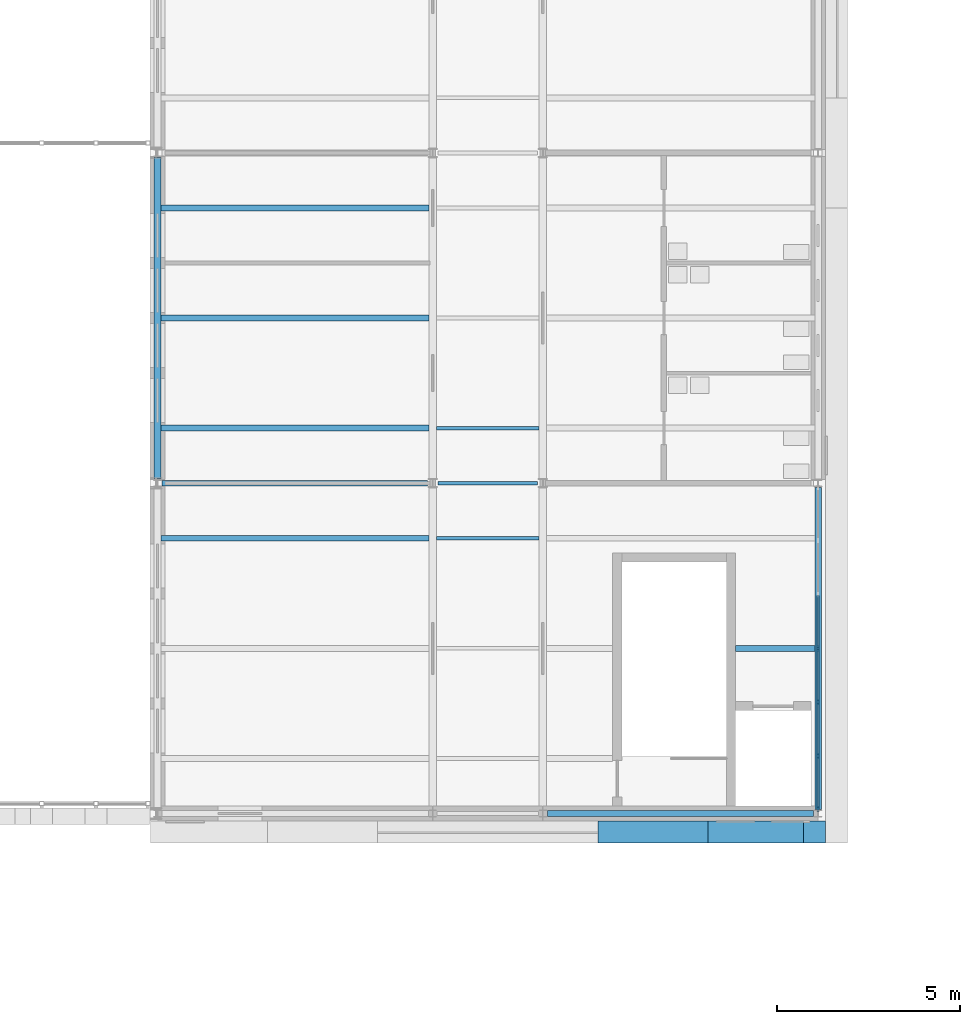
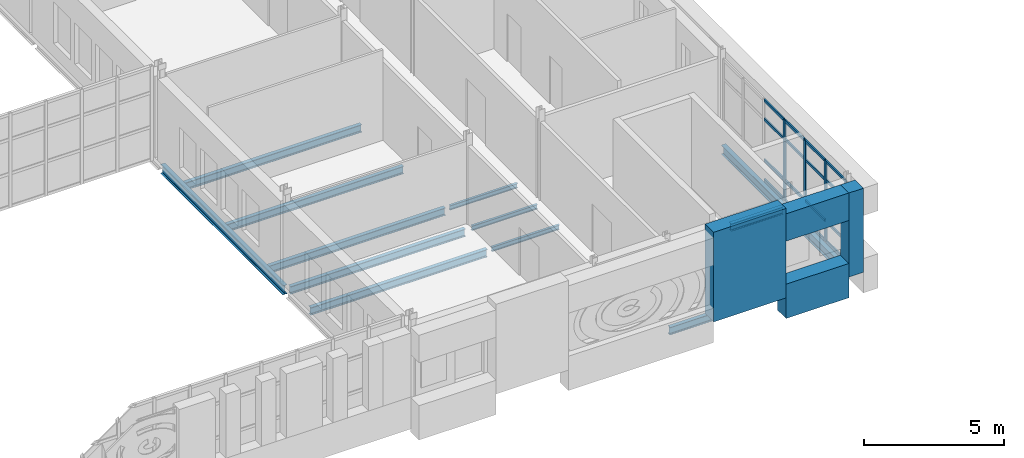
# One storey, part 27 of 154: 22 members, 14 beams, 1 element without a shape of its own.
"""IFC4 building model written with IfcOpenShell, lengths in metres."""

import ifcopenshell
import ifcopenshell.guid

model = None  # the IFC model being written
_history = None  # IfcOwnerHistory: only IFC2X3 demands one
_inside = {}  # id of a spatial element -> (the spatial element, [elements in it])
_under = {}  # id of a project, library or spatial element -> (it, [spatial elements below it])
_declared = {}  # id of a project -> (the project, [libraries it declares])
_typed = {}  # id of a type object -> (the type object, [elements of that type])
_made_of = {}  # id of a material, layer set ... -> (it, [elements and type objects made of it])


def new_model(schema):
    """Start an empty IFC model of exactly this schema.

    Asked for "IFC4X3", IfcOpenShell would pick the latest addendum, in which some entities
    have other attributes; the version numbers below select the first issue.
    IFC2X3 requires an IfcOwnerHistory on every rooted entity: one is made here for all.
    """
    global model, _history
    if schema == "IFC4X3":
        model = ifcopenshell.file(schema_version=(4, 3, 0, 0))
    else:
        model = ifcopenshell.file(schema=schema)
    _inside.clear()
    _under.clear()
    _declared.clear()
    _typed.clear()
    _made_of.clear()
    _history = None
    if model.schema == "IFC2X3":
        org = make("IfcOrganization", Name="unknown")
        user = make(
            "IfcPersonAndOrganization",
            ThePerson=make("IfcPerson", FamilyName="unknown"),
            TheOrganization=org,
        )
        app = make(
            "IfcApplication",
            ApplicationDeveloper=org,
            Version="unknown",
            ApplicationFullName="unknown",
            ApplicationIdentifier="unknown",
        )
        _history = make(
            "IfcOwnerHistory",
            OwningUser=user,
            OwningApplication=app,
            ChangeAction="ADDED",
            CreationDate=0,
        )
    return model


def make(cls, **values):
    """One entity of the class cls with the attributes given. An attribute that is None is left unset."""
    return model.create_entity(
        cls, **{name: value for name, value in values.items() if value is not None}
    )


def rooted(cls, **values):
    """An entity with a GlobalId (a new one), such as an element, a storey or a relation."""
    return make(cls, GlobalId=ifcopenshell.guid.new(), OwnerHistory=_history, **values)


def si_unit(unit_type, name, prefix=None):
    """IfcSIUnit, for example si_unit("LENGTHUNIT", "METRE", prefix="MILLI")."""
    return make("IfcSIUnit", UnitType=unit_type, Prefix=prefix, Name=name)


def assignment(units):
    """IfcUnitAssignment: the units of a project."""
    return None if units is None else make("IfcUnitAssignment", Units=units)


def point(xyz):
    """IfcCartesianPoint."""
    return None if xyz is None else make("IfcCartesianPoint", Coordinates=xyz)


def direction(xyz):
    """IfcDirection."""
    return None if xyz is None else make("IfcDirection", DirectionRatios=xyz)


def frame(location, z_axis=None, x_axis=None):
    """IfcAxis2Placement3D, a coordinate frame: its origin and axes. An axis left out is left unset."""
    return make(
        "IfcAxis2Placement3D",
        Location=point(location),
        Axis=direction(z_axis),
        RefDirection=direction(x_axis),
    )


def frame_2d(location, x_axis=None):
    """IfcAxis2Placement2D, a coordinate frame in the plane: its origin and x axis."""
    return make(
        "IfcAxis2Placement2D", Location=point(location), RefDirection=direction(x_axis)
    )


def origin():
    """The frame at (0, 0, 0) with its axes left unset."""
    return frame((0.0, 0.0, 0.0))


def origin_2d():
    """The frame at (0, 0) in the plane with its x axis left unset."""
    return frame_2d((0.0, 0.0))


def place(relative_to, where):
    """IfcLocalPlacement: puts the frame where relative to a parent placement (None: the world)."""
    return make(
        "IfcLocalPlacement", PlacementRelTo=relative_to, RelativePlacement=where
    )


def context(
    kind, dimensions, precision=None, world=None, true_north=None, identifier=None
):
    """IfcGeometricRepresentationContext, for example the 3D "Model" context."""
    return make(
        "IfcGeometricRepresentationContext",
        ContextIdentifier=identifier,
        ContextType=kind,
        CoordinateSpaceDimension=dimensions,
        Precision=precision,
        WorldCoordinateSystem=world,
        TrueNorth=true_north,
    )


def subcontext(parent, identifier, kind, view, scale=None):
    """IfcGeometricRepresentationSubContext, for example "Body" below "Model"."""
    return make(
        "IfcGeometricRepresentationSubContext",
        ContextIdentifier=identifier,
        ContextType=kind,
        ParentContext=parent,
        TargetScale=scale,
        TargetView=view,
    )


def project(units=None, contexts=None):
    """IfcProject with its units and contexts."""
    return rooted(
        "IfcProject",
        Name="project",
        RepresentationContexts=contexts,
        UnitsInContext=assignment(units),
    )


def spatial(cls, under=None, at=None, **own):
    """A site, building, storey or space (cls), placed at a placement, below another one or the project."""
    s = rooted(cls, ObjectPlacement=at, **own)
    if under is not None:
        _under.setdefault(under.id(), (under, []))[1].append(s)
    return s


def profile(cls, at=None, kind="AREA", **sizes):
    """A parametric profile (cls). Its sizes go by their IFC names, for example OverallWidth=200.0."""
    return make(cls, ProfileType=kind, Position=at, **sizes)


def rectangle(**sizes):
    """IfcRectangleProfileDef."""
    return profile("IfcRectangleProfileDef", **sizes)


def i_section(**sizes):
    """IfcIShapeProfileDef."""
    return profile("IfcIShapeProfileDef", **sizes)


def extrude(swept, where, along, depth):
    """IfcExtrudedAreaSolid: the profile swept, set in the frame where, extruded along a direction by depth."""
    return make(
        "IfcExtrudedAreaSolid",
        SweptArea=swept,
        Position=where,
        ExtrudedDirection=direction(along),
        Depth=depth,
    )


def shape(context_of_items, identifier, shape_type, items):
    """IfcShapeRepresentation: the items that make up one representation, for example the "Body"."""
    return make(
        "IfcShapeRepresentation",
        ContextOfItems=context_of_items,
        RepresentationIdentifier=identifier,
        RepresentationType=shape_type,
        Items=items,
    )


def material(Name=None, Category=None):
    """IfcMaterial."""
    return make("IfcMaterial", Name=Name, Category=Category)


def layer(
    of_material, thickness, ventilated=None, Name=None, Category=None, Priority=None
):
    """IfcMaterialLayer: one layer of a wall or slab, of a material (None: an air gap)."""
    return make(
        "IfcMaterialLayer",
        Material=of_material,
        LayerThickness=thickness,
        IsVentilated=ventilated,
        Name=Name,
        Category=Category,
        Priority=Priority,
    )


def layer_set(layers, Name=None):
    """IfcMaterialLayerSet."""
    return make("IfcMaterialLayerSet", MaterialLayers=layers, LayerSetName=Name)


def material_profile(
    of_material, cross_section, Name=None, Category=None, Priority=None
):
    """IfcMaterialProfile: a cross section and its material."""
    return make(
        "IfcMaterialProfile",
        Name=Name,
        Material=of_material,
        Profile=cross_section,
        Priority=Priority,
        Category=Category,
    )


def profile_set(profiles, Name=None, composite=None):
    """IfcMaterialProfileSet."""
    return make(
        "IfcMaterialProfileSet",
        Name=Name,
        MaterialProfiles=profiles,
        CompositeProfile=composite,
    )


def made_of(thing, what):
    """Note that an element or type object is made of a material, layer set ...; save() writes the relation."""
    if what is not None:
        _made_of.setdefault(what.id(), (what, []))[1].append(thing)
    return thing


def type_object(cls, material=None, **own):
    """A type object (cls), such as IfcWallType, which elements share."""
    return made_of(rooted(cls, **own), material)


def element(
    cls,
    number,
    at=None,
    inside=None,
    cuts=None,
    type_object=None,
    material=None,
    context=None,
    identifier="Body",
    shape_type=None,
    held_by="IfcProductDefinitionShape",
    body=None,
    shapes=None,
    **own,
):
    """One element of the class cls, such as IfcWall. Its Tag is "e" and its number.

    at: its placement. inside: the storey or other place that contains it. cuts: it is an
    opening in that element (IfcRelVoidsElement). A single representation is given by context,
    identifier, shape_type and body (its items); several are given by shapes. held_by: the class
    of the entity that holds the representations. save() writes the other relations.
    """
    e = rooted(cls, Tag="e%d" % number, ObjectPlacement=at, **own)
    if body is not None:
        shapes = [shape(context, identifier, shape_type, body)]
    if shapes is not None:
        e.Representation = make(held_by, Representations=shapes)
    if inside is not None:
        _inside.setdefault(inside.id(), (inside, []))[1].append(e)
    if cuts is not None:
        rooted(
            "IfcRelVoidsElement", RelatingBuildingElement=cuts, RelatedOpeningElement=e
        )
    if type_object is not None:
        _typed.setdefault(type_object.id(), (type_object, []))[1].append(e)
    return made_of(e, material)


def aggregate(whole, parts):
    """IfcRelAggregates: a whole, such as a stair, and the parts it consists of."""
    return rooted("IfcRelAggregates", RelatingObject=whole, RelatedObjects=parts)


def save(model, path):
    """Write the relations noted so far, then the file.

    IfcRelAggregates (storeys below a building ...), IfcRelContainedInSpatialStructure (elements
    in a storey), IfcRelDefinesByType, IfcRelAssociatesMaterial and IfcRelDeclares: one each for
    every whole, place, type object, material and project.
    """
    for whole, parts in _under.values():
        aggregate(whole, parts)
    for where, things in _inside.values():
        rooted(
            "IfcRelContainedInSpatialStructure",
            RelatedElements=things,
            RelatingStructure=where,
        )
    for kind, things in _typed.values():
        rooted("IfcRelDefinesByType", RelatedObjects=things, RelatingType=kind)
    for what, things in _made_of.values():
        rooted("IfcRelAssociatesMaterial", RelatedObjects=things, RelatingMaterial=what)
    for by, libraries in _declared.values():
        rooted("IfcRelDeclares", RelatingContext=by, RelatedDefinitions=libraries)
    model.write(path)


model = new_model("IFC4")

# Units and contexts
model_context = context("Model", 3, precision=1e-05, world=origin(), true_north=direction((0.0, 1.0)))
body_context = subcontext(model_context, "Body", "Model", "MODEL_VIEW")
ifc_project = project(units=[si_unit("LENGTHUNIT", "METRE"), si_unit("AREAUNIT", "SQUARE_METRE"), si_unit("VOLUMEUNIT", "CUBIC_METRE"), si_unit("PLANEANGLEUNIT", "RADIAN"), si_unit("MASSUNIT", "GRAM", prefix="KILO")], contexts=[model_context])

# Site, building, storey
site_placement = place(None, origin())
site = spatial("IfcSite", under=ifc_project, at=site_placement, CompositionType="ELEMENT")
building_placement = place(site_placement, origin())
building = spatial("IfcBuilding", under=site, at=building_placement, Name="Golden Quay Civic Hall", CompositionType="ELEMENT")
storey_placement = place(building_placement, frame((0.0, 0.0, 14.39990234375)))
storey = spatial("IfcBuildingStorey", under=building, at=storey_placement, Name="L03", CompositionType="ELEMENT", Elevation=14.39990234375)

# Curtain wall, members
ifc_material_1 = material(Name="Glass, laminated double glazed", Category="glass")
ifc_layer = layer(ifc_material_1, 0.199951171875)
ifc_layer_set = layer_set([ifc_layer], Name="Glazed core strip curtain wall")
curtain_wall_type = type_object("IfcCurtainWallType", Name="Glazed core strip curtain wall", PredefinedType="NOTDEFINED", material=ifc_layer_set)
curtain_wall_placement = place(storey_placement, origin())
curtain_wall = element("IfcCurtainWall", 1, at=curtain_wall_placement, inside=storey, type_object=curtain_wall_type, Name="Glazed core strip curtain wall L03 4", PredefinedType="NOTDEFINED")
ifc_material_2 = material(Name="Aluminium, anodised", Category="aluminium")
ifc_material_profile_1 = material_profile(ifc_material_2, rectangle(XDim=0.06005859375, YDim=0.159912109375, at=origin_2d()), Name="Aluminium 60 x 160")
ifc_profile_set_1 = profile_set([ifc_material_profile_1], Name="Aluminium, anodised")
member_type_1 = type_object("IfcMemberType", Name="Aluminium mullion 60 x 160", PredefinedType="MULLION", material=ifc_profile_set_1)
member_1_placement = place(storey_placement, frame((117.0, 4.5, 0.0), z_axis=(0.0, 0.0, 1.0), x_axis=(1.0, 0.0, 0.0)))
member_1 = element("IfcMember", 2, at=member_1_placement, type_object=member_type_1, Name="CW2 mullion 4", PredefinedType="MULLION", context=body_context, shape_type="SweptSolid", body=[
    extrude(rectangle(XDim=0.06005859375, YDim=0.159912109375, at=origin_2d()), origin(), (0.0, 0.0, 1.0), 3.550048828125),
])
member_2_placement = place(storey_placement, frame((117.0, 3.03173828125, 0.0), z_axis=(0.0, 0.0, 1.0), x_axis=(1.0, 0.0, 0.0)))
member_2 = element("IfcMember", 3, at=member_2_placement, type_object=member_type_1, Name="CW2 mullion 5", PredefinedType="MULLION", context=body_context, shape_type="SweptSolid", body=[
    extrude(rectangle(XDim=0.06005859375, YDim=0.159912109375, at=origin_2d()), origin(), (0.0, 0.0, 1.0), 3.550048828125),
])
member_3_placement = place(storey_placement, frame((117.0, 1.563232421875, 0.0), z_axis=(0.0, 0.0, 1.0), x_axis=(1.0, 0.0, 0.0)))
member_3 = element("IfcMember", 4, at=member_3_placement, type_object=member_type_1, Name="CW2 mullion 6", PredefinedType="MULLION", context=body_context, shape_type="SweptSolid", body=[
    extrude(rectangle(XDim=0.06005859375, YDim=0.159912109375, at=origin_2d()), origin(), (0.0, 0.0, 1.0), 3.550048828125),
])
member_4_placement = place(storey_placement, frame((117.0, 0.125, 0.0), z_axis=(0.0, 0.0, 1.0), x_axis=(1.0, 0.0, 0.0)))
member_4 = element("IfcMember", 5, at=member_4_placement, type_object=member_type_1, Name="CW2 mullion 7", PredefinedType="MULLION", context=body_context, shape_type="SweptSolid", body=[
    extrude(rectangle(XDim=0.06005859375, YDim=0.159912109375, at=origin_2d()), origin(), (0.0, 0.0, 1.0), 3.550048828125),
])
ifc_material_3 = material(Name="Aluminium, anodised", Category="aluminium")
ifc_material_profile_2 = material_profile(ifc_material_3, rectangle(XDim=0.06005859375, YDim=0.1201171875, at=origin_2d()), Name="Aluminium 60 x 120")
ifc_profile_set_2 = profile_set([ifc_material_profile_2], Name="Aluminium, anodised")
member_type_2 = type_object("IfcMemberType", Name="Aluminium transom 60 x 120", PredefinedType="USERDEFINED", material=ifc_profile_set_2)
member_5_placement = place(storey_placement, frame((117.0, 5.938232421875, 0.030029296875), z_axis=(0.0, -1.0, 0.0), x_axis=(1.0, 0.0, 0.0)))
member_5 = element("IfcMember", 6, at=member_5_placement, type_object=member_type_2, Name="CW2 transom 3.1", ObjectType="TRANSOM", PredefinedType="USERDEFINED", context=body_context, shape_type="SweptSolid", body=[
    extrude(rectangle(XDim=0.06005859375, YDim=0.1201171875, at=origin_2d()), origin(), (0.0, 0.0, 1.0), 1.408203125),
])
member_6_placement = place(storey_placement, frame((117.0, 5.938232421875, 0.900146484375), z_axis=(0.0, -1.0, 0.0), x_axis=(1.0, 0.0, 0.0)))
member_6 = element("IfcMember", 7, at=member_6_placement, type_object=member_type_2, Name="CW2 transom 3.2", ObjectType="TRANSOM", PredefinedType="USERDEFINED", context=body_context, shape_type="SweptSolid", body=[
    extrude(rectangle(XDim=0.06005859375, YDim=0.1201171875, at=origin_2d()), origin(), (0.0, 0.0, 1.0), 1.408203125),
])
member_7_placement = place(storey_placement, frame((117.0, 5.938232421875, 2.7001953125), z_axis=(0.0, -1.0, 0.0), x_axis=(1.0, 0.0, 0.0)))
member_7 = element("IfcMember", 8, at=member_7_placement, type_object=member_type_2, Name="CW2 transom 3.3", ObjectType="TRANSOM", PredefinedType="USERDEFINED", context=body_context, shape_type="SweptSolid", body=[
    extrude(rectangle(XDim=0.06005859375, YDim=0.1201171875, at=origin_2d()), origin(), (0.0, 0.0, 1.0), 1.408203125),
])
member_8_placement = place(storey_placement, frame((117.0, 5.938232421875, 3.52001953125), z_axis=(0.0, -1.0, 0.0), x_axis=(1.0, 0.0, 0.0)))
member_8 = element("IfcMember", 9, at=member_8_placement, type_object=member_type_2, Name="CW2 transom 3.4", ObjectType="TRANSOM", PredefinedType="USERDEFINED", context=body_context, shape_type="SweptSolid", body=[
    extrude(rectangle(XDim=0.06005859375, YDim=0.1201171875, at=origin_2d()), origin(), (0.0, 0.0, 1.0), 1.408203125),
])
member_9_placement = place(storey_placement, frame((117.0, 4.469970703125, 0.030029296875), z_axis=(0.0, -1.0, 0.0), x_axis=(1.0, 0.0, 0.0)))
member_9 = element("IfcMember", 10, at=member_9_placement, type_object=member_type_2, Name="CW2 transom 4.1", ObjectType="TRANSOM", PredefinedType="USERDEFINED", context=body_context, shape_type="SweptSolid", body=[
    extrude(rectangle(XDim=0.06005859375, YDim=0.1201171875, at=origin_2d()), origin(), (0.0, 0.0, 1.0), 1.408203125),
])
member_10_placement = place(storey_placement, frame((117.0, 4.469970703125, 0.900146484375), z_axis=(0.0, -1.0, 0.0), x_axis=(1.0, 0.0, 0.0)))
member_10 = element("IfcMember", 11, at=member_10_placement, type_object=member_type_2, Name="CW2 transom 4.2", ObjectType="TRANSOM", PredefinedType="USERDEFINED", context=body_context, shape_type="SweptSolid", body=[
    extrude(rectangle(XDim=0.06005859375, YDim=0.1201171875, at=origin_2d()), origin(), (0.0, 0.0, 1.0), 1.408203125),
])
member_11_placement = place(storey_placement, frame((117.0, 4.469970703125, 2.7001953125), z_axis=(0.0, -1.0, 0.0), x_axis=(1.0, 0.0, 0.0)))
member_11 = element("IfcMember", 12, at=member_11_placement, type_object=member_type_2, Name="CW2 transom 4.3", ObjectType="TRANSOM", PredefinedType="USERDEFINED", context=body_context, shape_type="SweptSolid", body=[
    extrude(rectangle(XDim=0.06005859375, YDim=0.1201171875, at=origin_2d()), origin(), (0.0, 0.0, 1.0), 1.408203125),
])
member_12_placement = place(storey_placement, frame((117.0, 4.469970703125, 3.52001953125), z_axis=(0.0, -1.0, 0.0), x_axis=(1.0, 0.0, 0.0)))
member_12 = element("IfcMember", 13, at=member_12_placement, type_object=member_type_2, Name="CW2 transom 4.4", ObjectType="TRANSOM", PredefinedType="USERDEFINED", context=body_context, shape_type="SweptSolid", body=[
    extrude(rectangle(XDim=0.06005859375, YDim=0.1201171875, at=origin_2d()), origin(), (0.0, 0.0, 1.0), 1.408203125),
])
member_13_placement = place(storey_placement, frame((117.0, 3.001708984375, 0.030029296875), z_axis=(0.0, -1.0, 0.0), x_axis=(1.0, 0.0, 0.0)))
member_13 = element("IfcMember", 14, at=member_13_placement, type_object=member_type_2, Name="CW2 transom 5.1", ObjectType="TRANSOM", PredefinedType="USERDEFINED", context=body_context, shape_type="SweptSolid", body=[
    extrude(rectangle(XDim=0.06005859375, YDim=0.1201171875, at=origin_2d()), origin(), (0.0, 0.0, 1.0), 1.408447265625),
])
member_14_placement = place(storey_placement, frame((117.0, 3.001708984375, 0.900146484375), z_axis=(0.0, -1.0, 0.0), x_axis=(1.0, 0.0, 0.0)))
member_14 = element("IfcMember", 15, at=member_14_placement, type_object=member_type_2, Name="CW2 transom 5.2", ObjectType="TRANSOM", PredefinedType="USERDEFINED", context=body_context, shape_type="SweptSolid", body=[
    extrude(rectangle(XDim=0.06005859375, YDim=0.1201171875, at=origin_2d()), origin(), (0.0, 0.0, 1.0), 1.408447265625),
])
member_15_placement = place(storey_placement, frame((117.0, 3.001708984375, 2.7001953125), z_axis=(0.0, -1.0, 0.0), x_axis=(1.0, 0.0, 0.0)))
member_15 = element("IfcMember", 16, at=member_15_placement, type_object=member_type_2, Name="CW2 transom 5.3", ObjectType="TRANSOM", PredefinedType="USERDEFINED", context=body_context, shape_type="SweptSolid", body=[
    extrude(rectangle(XDim=0.06005859375, YDim=0.1201171875, at=origin_2d()), origin(), (0.0, 0.0, 1.0), 1.408447265625),
])
member_16_placement = place(storey_placement, frame((117.0, 3.001708984375, 3.52001953125), z_axis=(0.0, -1.0, 0.0), x_axis=(1.0, 0.0, 0.0)))
member_16 = element("IfcMember", 17, at=member_16_placement, type_object=member_type_2, Name="CW2 transom 5.4", ObjectType="TRANSOM", PredefinedType="USERDEFINED", context=body_context, shape_type="SweptSolid", body=[
    extrude(rectangle(XDim=0.06005859375, YDim=0.1201171875, at=origin_2d()), origin(), (0.0, 0.0, 1.0), 1.408447265625),
])
member_17_placement = place(storey_placement, frame((117.0, 1.533447265625, 0.030029296875), z_axis=(0.0, -1.0, 0.0), x_axis=(1.0, 0.0, 0.0)))
member_17 = element("IfcMember", 18, at=member_17_placement, type_object=member_type_2, Name="CW2 transom 6.1", ObjectType="TRANSOM", PredefinedType="USERDEFINED", context=body_context, shape_type="SweptSolid", body=[
    extrude(rectangle(XDim=0.06005859375, YDim=0.1201171875, at=origin_2d()), origin(), (0.0, 0.0, 1.0), 1.37841796875),
])
member_18_placement = place(storey_placement, frame((117.0, 1.533447265625, 0.900146484375), z_axis=(0.0, -1.0, 0.0), x_axis=(1.0, 0.0, 0.0)))
member_18 = element("IfcMember", 19, at=member_18_placement, type_object=member_type_2, Name="CW2 transom 6.2", ObjectType="TRANSOM", PredefinedType="USERDEFINED", context=body_context, shape_type="SweptSolid", body=[
    extrude(rectangle(XDim=0.06005859375, YDim=0.1201171875, at=origin_2d()), origin(), (0.0, 0.0, 1.0), 1.37841796875),
])
member_19_placement = place(storey_placement, frame((117.0, 1.533447265625, 2.7001953125), z_axis=(0.0, -1.0, 0.0), x_axis=(1.0, 0.0, 0.0)))
member_19 = element("IfcMember", 20, at=member_19_placement, type_object=member_type_2, Name="CW2 transom 6.3", ObjectType="TRANSOM", PredefinedType="USERDEFINED", context=body_context, shape_type="SweptSolid", body=[
    extrude(rectangle(XDim=0.06005859375, YDim=0.1201171875, at=origin_2d()), origin(), (0.0, 0.0, 1.0), 1.37841796875),
])
member_20_placement = place(storey_placement, frame((117.0, 1.533447265625, 3.52001953125), z_axis=(0.0, -1.0, 0.0), x_axis=(1.0, 0.0, 0.0)))
member_20 = element("IfcMember", 21, at=member_20_placement, type_object=member_type_2, Name="CW2 transom 6.4", ObjectType="TRANSOM", PredefinedType="USERDEFINED", context=body_context, shape_type="SweptSolid", body=[
    extrude(rectangle(XDim=0.06005859375, YDim=0.1201171875, at=origin_2d()), origin(), (0.0, 0.0, 1.0), 1.37841796875),
])
aggregate(curtain_wall, [member_1, member_2, member_3, member_4, member_5, member_6, member_7, member_8, member_9, member_10, member_11, member_12, member_13, member_14, member_15, member_16, member_17, member_18, member_19, member_20])

# Members
ifc_material_4 = material(Name="Concrete C40/50", Category="concrete")
ifc_material_profile_3 = material_profile(ifc_material_4, rectangle(XDim=3.0, YDim=0.60009765625, at=origin_2d()), Name="RC 3000x600")
ifc_profile_set_3 = profile_set([ifc_material_profile_3], Name="Concrete C40/50")
member_type_3 = type_object("IfcMemberType", Name="Precast concrete facade pier 3000 x 600", PredefinedType="POST", material=ifc_profile_set_3)
member_21_placement = place(storey_placement, frame((112.5, -0.5, 0.0), z_axis=(0.0, 0.0, 1.0), x_axis=(1.0, 0.0, 0.0)))
element("IfcMember", 22, at=member_21_placement, inside=storey, type_object=member_type_3, Name="Precast concrete facade pier 3000 x 600 L03 34", PredefinedType="POST", context=body_context, shape_type="SweptSolid", body=[
    extrude(rectangle(XDim=3.0, YDim=0.60009765625, at=origin_2d()), origin(), (0.0, 0.0, 1.0), 3.920166015625),
])
ifc_material_5 = material(Name="Concrete C40/50", Category="concrete")
ifc_material_profile_4 = material_profile(ifc_material_5, rectangle(XDim=0.60009765625, YDim=0.60009765625, at=origin_2d()), Name="RC 600x600")
ifc_profile_set_4 = profile_set([ifc_material_profile_4], Name="Concrete C40/50")
member_type_4 = type_object("IfcMemberType", Name="Precast concrete facade post 600 x 600", PredefinedType="POST", material=ifc_profile_set_4)
member_22_placement = place(storey_placement, frame((116.89990234375, -0.5, 0.0), z_axis=(0.0, 0.0, 1.0), x_axis=(1.0, 0.0, 0.0)))
element("IfcMember", 23, at=member_22_placement, inside=storey, type_object=member_type_4, Name="Precast concrete facade post 600 x 600 L03 13", PredefinedType="POST", context=body_context, shape_type="SweptSolid", body=[
    extrude(rectangle(XDim=0.60009765625, YDim=0.60009765625, at=origin_2d()), origin(), (0.0, 0.0, 1.0), 3.68017578125),
])

# Beams
ifc_material_6 = material(Name="Concrete C40/50", Category="concrete")
ifc_material_profile_5 = material_profile(ifc_material_6, rectangle(XDim=0.60009765625, YDim=1.199951171875, at=origin_2d()), Name="RC 600x1200")
ifc_profile_set_5 = profile_set([ifc_material_profile_5], Name="Concrete C40/50")
beam_type_1 = type_object("IfcBeamType", Name="Precast concrete spandrel beam 600 x 1200", PredefinedType="SPANDREL", material=ifc_profile_set_5)
beam_1_placement = place(storey_placement, frame((114.0, -0.5, 3.080078125), z_axis=(1.0, 0.0, 0.0), x_axis=(0.0, 1.0, 0.0)))
element("IfcBeam", 24, at=beam_1_placement, inside=storey, type_object=beam_type_1, Name="Precast concrete spandrel beam 600 x 1200 L03 10", PredefinedType="SPANDREL", context=body_context, shape_type="SweptSolid", body=[
    extrude(rectangle(XDim=0.60009765625, YDim=1.199951171875, at=origin_2d()), origin(), (0.0, 0.0, 1.0), 2.60009765625),
])
ifc_material_7 = material(Name="Concrete C40/50", Category="concrete")
ifc_material_profile_6 = material_profile(ifc_material_7, rectangle(XDim=0.60009765625, YDim=1.5, at=origin_2d()), Name="RC 600x1500")
ifc_profile_set_6 = profile_set([ifc_material_profile_6], Name="Concrete C40/50")
beam_type_2 = type_object("IfcBeamType", Name="Precast concrete spandrel beam 600 x 1500", PredefinedType="SPANDREL", material=ifc_profile_set_6)
beam_2_placement = place(storey_placement, frame((114.0, -0.5, -0.14990234375), z_axis=(1.0, 0.0, 0.0), x_axis=(0.0, 1.0, 0.0)))
element("IfcBeam", 25, at=beam_2_placement, inside=storey, type_object=beam_type_2, Name="Precast concrete spandrel beam 600 x 1500 L03 29", PredefinedType="SPANDREL", context=body_context, shape_type="SweptSolid", body=[
    extrude(rectangle(XDim=0.60009765625, YDim=1.5, at=origin_2d()), origin(), (0.0, 0.0, 1.0), 2.60009765625),
])
ifc_material_8 = material(Name="Steel S355", Category="steel")
ifc_material_profile_7 = material_profile(ifc_material_8, i_section(OverallWidth=0.10009765625, OverallDepth=0.199951171875, WebThickness=0.005615234375, FlangeThickness=0.008544921875, FilletRadius=0.011962890625, at=origin_2d()), Name="IPE 200")
ifc_profile_set_7 = profile_set([ifc_material_profile_7], Name="Steel S355")
beam_type_3 = type_object("IfcBeamType", Name="Steel beam IPE 200", PredefinedType="BEAM", material=ifc_profile_set_7)
beam_3_placement = place(storey_placement, frame((106.639892578125, 9.0, -0.2998046875), z_axis=(1.0, 0.0, 0.0), x_axis=(0.0, 1.0, 0.0)))
element("IfcBeam", 26, at=beam_3_placement, inside=storey, type_object=beam_type_3, Name="Beam S9-106.5", PredefinedType="BEAM", context=body_context, shape_type="SweptSolid", body=[
    extrude(i_section(OverallWidth=0.10009765625, OverallDepth=0.199951171875, WebThickness=0.005615234375, FlangeThickness=0.008544921875, FilletRadius=0.011962890625, at=origin_2d()), origin(), (0.0, 0.0, 1.0), 2.72021484375),
])
ifc_material_9 = material(Name="Steel S355", Category="steel")
ifc_material_profile_8 = material_profile(ifc_material_9, i_section(OverallWidth=0.159912109375, OverallDepth=0.330078125, WebThickness=0.007568359375, FlangeThickness=0.011474609375, FilletRadius=0.01806640625, at=origin_2d()), Name="IPE 330")
ifc_profile_set_8 = profile_set([ifc_material_profile_8], Name="Steel S355")
beam_type_4 = type_object("IfcBeamType", Name="Steel beam IPE 330", PredefinedType="BEAM", material=ifc_profile_set_8)
beam_4_placement = place(storey_placement, frame((109.6201171875, 0.0, -0.364990234375), z_axis=(1.0, 0.0, 0.0), x_axis=(0.0, 1.0, 0.0)))
element("IfcBeam", 27, at=beam_4_placement, inside=storey, type_object=beam_type_4, Name="Beam S0-109.5", PredefinedType="BEAM", context=body_context, shape_type="SweptSolid", body=[
    extrude(i_section(OverallWidth=0.159912109375, OverallDepth=0.330078125, WebThickness=0.007568359375, FlangeThickness=0.011474609375, FilletRadius=0.01806640625, at=origin_2d()), origin(), (0.0, 0.0, 1.0), 7.259765625),
])
beam_5_placement = place(storey_placement, frame((99.1201171875, 9.0, -0.364990234375), z_axis=(1.0, 0.0, 0.0), x_axis=(0.0, 1.0, 0.0)))
element("IfcBeam", 28, at=beam_5_placement, inside=storey, type_object=beam_type_4, Name="Beam S9-99", PredefinedType="BEAM", context=body_context, shape_type="SweptSolid", body=[
    extrude(i_section(OverallWidth=0.159912109375, OverallDepth=0.330078125, WebThickness=0.007568359375, FlangeThickness=0.011474609375, FilletRadius=0.01806640625, at=origin_2d()), origin(), (0.0, 0.0, 1.0), 7.239990234375),
])
ifc_material_10 = material(Name="Steel S355", Category="steel")
ifc_material_profile_9 = material_profile(ifc_material_10, i_section(OverallWidth=0.179931640625, OverallDepth=0.39990234375, WebThickness=0.008544921875, FlangeThickness=0.013427734375, FilletRadius=0.02099609375, at=origin_2d()), Name="IPE 400")
ifc_profile_set_9 = profile_set([ifc_material_profile_9], Name="Steel S355")
beam_type_5 = type_object("IfcBeamType", Name="Steel beam IPE 400", PredefinedType="BEAM", material=ifc_profile_set_9)
for number, where, z_axis, x_axis, name in (
    (29, (99.0, 9.114990234375, -0.39990234375), (0.0, 1.0, 0.0), (-1.0, 0.0, 0.0), "Beam L99-9"),
    (30, (117.0, 0.114990234375, -0.39990234375), (0.0, 1.0, 0.0), (-1.0, 0.0, 0.0), "Beam L117-0"),
):
    element("IfcBeam", number, at=place(storey_placement, frame(where, z_axis=z_axis, x_axis=x_axis)), inside=storey, type_object=beam_type_5, Name=name, PredefinedType="BEAM", context=body_context, shape_type="SweptSolid", body=[
        extrude(i_section(OverallWidth=0.179931640625, OverallDepth=0.39990234375, WebThickness=0.008544921875, FlangeThickness=0.013427734375, FilletRadius=0.02099609375, at=origin_2d()), origin(), (0.0, 0.0, 1.0), 8.77001953125),
    ])
ifc_material_11 = material(Name="Steel S355", Category="steel")
ifc_material_profile_10 = material_profile(ifc_material_11, i_section(OverallWidth=0.10009765625, OverallDepth=0.199951171875, WebThickness=0.005615234375, FlangeThickness=0.008544921875, FilletRadius=0.011962890625, at=origin_2d()), Name="IPE 200")
ifc_profile_set_10 = profile_set([ifc_material_profile_10], Name="Steel S355")
beam_type_6 = type_object("IfcBeamType", Name="Steel joist IPE 200", PredefinedType="JOIST", material=ifc_profile_set_10)
for number, where, z_axis, x_axis, name in (
    (31, (106.60009765625, 7.5, -0.2998046875), (1.0, 0.0, 0.0), (0.0, 1.0, 0.0), "Joist J7.5-106.5"),
    (32, (106.60009765625, 10.5, -0.2998046875), (1.0, 0.0, 0.0), (0.0, 1.0, 0.0), "Joist J10.5-106.5"),
):
    element("IfcBeam", number, at=place(storey_placement, frame(where, z_axis=z_axis, x_axis=x_axis)), inside=storey, type_object=beam_type_6, Name=name, PredefinedType="JOIST", context=body_context, shape_type="SweptSolid", body=[
        extrude(i_section(OverallWidth=0.10009765625, OverallDepth=0.199951171875, WebThickness=0.005615234375, FlangeThickness=0.008544921875, FilletRadius=0.011962890625, at=origin_2d()), origin(), (0.0, 0.0, 1.0), 2.7998046875),
    ])
ifc_material_12 = material(Name="Steel S355", Category="steel")
ifc_material_profile_11 = material_profile(ifc_material_12, i_section(OverallWidth=0.159912109375, OverallDepth=0.330078125, WebThickness=0.007568359375, FlangeThickness=0.011474609375, FilletRadius=0.01806640625, at=origin_2d()), Name="IPE 330")
ifc_profile_set_11 = profile_set([ifc_material_profile_11], Name="Steel S355")
beam_type_7 = type_object("IfcBeamType", Name="Steel joist IPE 330", PredefinedType="JOIST", material=ifc_profile_set_11)
beam_6_placement = place(storey_placement, frame((114.75, 4.5, -0.364990234375), z_axis=(1.0, 0.0, 0.0), x_axis=(0.0, 1.0, 0.0)))
element("IfcBeam", 33, at=beam_6_placement, inside=storey, type_object=beam_type_7, Name="Joist J4.5-109.5-1", PredefinedType="JOIST", context=body_context, shape_type="SweptSolid", body=[
    extrude(i_section(OverallWidth=0.159912109375, OverallDepth=0.330078125, WebThickness=0.007568359375, FlangeThickness=0.011474609375, FilletRadius=0.01806640625, at=origin_2d()), origin(), (0.0, 0.0, 1.0), 2.159912109375),
])
for number, where, z_axis, x_axis, name in (
    (34, (99.090087890625, 7.5, -0.364990234375), (1.0, 0.0, 0.0), (0.0, 1.0, 0.0), "Joist J7.5-99"),
    (35, (99.090087890625, 10.5, -0.364990234375), (1.0, 0.0, 0.0), (0.0, 1.0, 0.0), "Joist J10.5-99"),
    (36, (99.090087890625, 13.5, -0.364990234375), (1.0, 0.0, 0.0), (0.0, 1.0, 0.0), "Joist J13.5-99"),
    (37, (99.090087890625, 16.5, -0.364990234375), (1.0, 0.0, 0.0), (0.0, 1.0, 0.0), "Joist J16.5-99"),
):
    element("IfcBeam", number, at=place(storey_placement, frame(where, z_axis=z_axis, x_axis=x_axis)), inside=storey, type_object=beam_type_7, Name=name, PredefinedType="JOIST", context=body_context, shape_type="SweptSolid", body=[
        extrude(i_section(OverallWidth=0.159912109375, OverallDepth=0.330078125, WebThickness=0.007568359375, FlangeThickness=0.011474609375, FilletRadius=0.01806640625, at=origin_2d()), origin(), (0.0, 0.0, 1.0), 7.309814453125),
    ])

save(model, "model.ifc")
